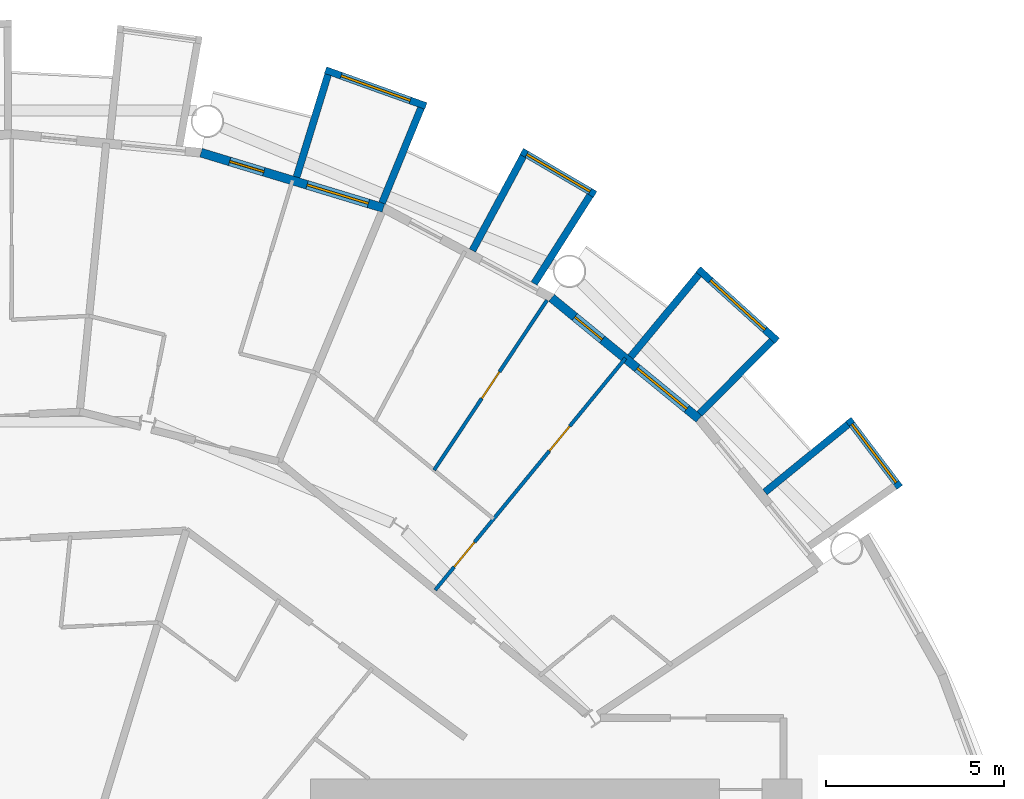
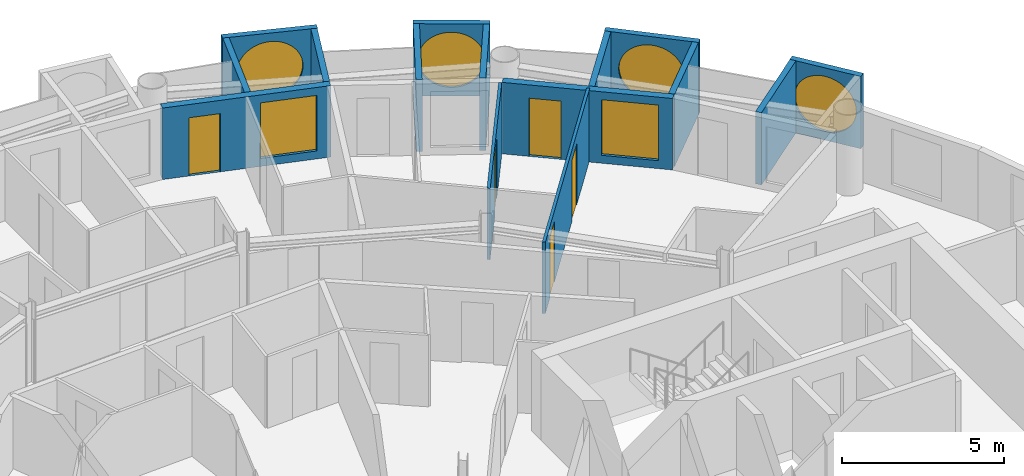
# One storey, part 23 of 27: 15 walls, 6 windows, 5 doors, 11 openings.
"""IFC4 building model written with IfcOpenShell, lengths in metres."""

import ifcopenshell
import ifcopenshell.guid

model = None  # the IFC model being written
_history = None  # IfcOwnerHistory: only IFC2X3 demands one
_inside = {}  # id of a spatial element -> (the spatial element, [elements in it])
_under = {}  # id of a project, library or spatial element -> (it, [spatial elements below it])
_declared = {}  # id of a project -> (the project, [libraries it declares])
_typed = {}  # id of a type object -> (the type object, [elements of that type])
_made_of = {}  # id of a material, layer set ... -> (it, [elements and type objects made of it])


def new_model(schema):
    """Start an empty IFC model of exactly this schema.

    Asked for "IFC4X3", IfcOpenShell would pick the latest addendum, in which some entities
    have other attributes; the version numbers below select the first issue.
    IFC2X3 requires an IfcOwnerHistory on every rooted entity: one is made here for all.
    """
    global model, _history
    if schema == "IFC4X3":
        model = ifcopenshell.file(schema_version=(4, 3, 0, 0))
    else:
        model = ifcopenshell.file(schema=schema)
    _inside.clear()
    _under.clear()
    _declared.clear()
    _typed.clear()
    _made_of.clear()
    _history = None
    if model.schema == "IFC2X3":
        org = make("IfcOrganization", Name="unknown")
        user = make(
            "IfcPersonAndOrganization",
            ThePerson=make("IfcPerson", FamilyName="unknown"),
            TheOrganization=org,
        )
        app = make(
            "IfcApplication",
            ApplicationDeveloper=org,
            Version="unknown",
            ApplicationFullName="unknown",
            ApplicationIdentifier="unknown",
        )
        _history = make(
            "IfcOwnerHistory",
            OwningUser=user,
            OwningApplication=app,
            ChangeAction="ADDED",
            CreationDate=0,
        )
    return model


def make(cls, **values):
    """One entity of the class cls with the attributes given. An attribute that is None is left unset."""
    return model.create_entity(
        cls, **{name: value for name, value in values.items() if value is not None}
    )


def rooted(cls, **values):
    """An entity with a GlobalId (a new one), such as an element, a storey or a relation."""
    return make(cls, GlobalId=ifcopenshell.guid.new(), OwnerHistory=_history, **values)


def si_unit(unit_type, name, prefix=None):
    """IfcSIUnit, for example si_unit("LENGTHUNIT", "METRE", prefix="MILLI")."""
    return make("IfcSIUnit", UnitType=unit_type, Prefix=prefix, Name=name)


def assignment(units):
    """IfcUnitAssignment: the units of a project."""
    return None if units is None else make("IfcUnitAssignment", Units=units)


def point(xyz):
    """IfcCartesianPoint."""
    return None if xyz is None else make("IfcCartesianPoint", Coordinates=xyz)


def direction(xyz):
    """IfcDirection."""
    return None if xyz is None else make("IfcDirection", DirectionRatios=xyz)


def frame(location, z_axis=None, x_axis=None):
    """IfcAxis2Placement3D, a coordinate frame: its origin and axes. An axis left out is left unset."""
    return make(
        "IfcAxis2Placement3D",
        Location=point(location),
        Axis=direction(z_axis),
        RefDirection=direction(x_axis),
    )


def frame_2d(location, x_axis=None):
    """IfcAxis2Placement2D, a coordinate frame in the plane: its origin and x axis."""
    return make(
        "IfcAxis2Placement2D", Location=point(location), RefDirection=direction(x_axis)
    )


def origin():
    """The frame at (0, 0, 0) with its axes left unset."""
    return frame((0.0, 0.0, 0.0))


def place(relative_to, where):
    """IfcLocalPlacement: puts the frame where relative to a parent placement (None: the world)."""
    return make(
        "IfcLocalPlacement", PlacementRelTo=relative_to, RelativePlacement=where
    )


def context(
    kind, dimensions, precision=None, world=None, true_north=None, identifier=None
):
    """IfcGeometricRepresentationContext, for example the 3D "Model" context."""
    return make(
        "IfcGeometricRepresentationContext",
        ContextIdentifier=identifier,
        ContextType=kind,
        CoordinateSpaceDimension=dimensions,
        Precision=precision,
        WorldCoordinateSystem=world,
        TrueNorth=true_north,
    )


def subcontext(parent, identifier, kind, view, scale=None):
    """IfcGeometricRepresentationSubContext, for example "Body" below "Model"."""
    return make(
        "IfcGeometricRepresentationSubContext",
        ContextIdentifier=identifier,
        ContextType=kind,
        ParentContext=parent,
        TargetScale=scale,
        TargetView=view,
    )


def project(units=None, contexts=None):
    """IfcProject with its units and contexts."""
    return rooted(
        "IfcProject",
        Name="project",
        RepresentationContexts=contexts,
        UnitsInContext=assignment(units),
    )


def spatial(cls, under=None, at=None, **own):
    """A site, building, storey or space (cls), placed at a placement, below another one or the project."""
    s = rooted(cls, ObjectPlacement=at, **own)
    if under is not None:
        _under.setdefault(under.id(), (under, []))[1].append(s)
    return s


def profile(cls, at=None, kind="AREA", **sizes):
    """A parametric profile (cls). Its sizes go by their IFC names, for example OverallWidth=200.0."""
    return make(cls, ProfileType=kind, Position=at, **sizes)


def rectangle(**sizes):
    """IfcRectangleProfileDef."""
    return profile("IfcRectangleProfileDef", **sizes)


def circle(**sizes):
    """IfcCircleProfileDef."""
    return profile("IfcCircleProfileDef", **sizes)


def extrude(swept, where, along, depth):
    """IfcExtrudedAreaSolid: the profile swept, set in the frame where, extruded along a direction by depth."""
    return make(
        "IfcExtrudedAreaSolid",
        SweptArea=swept,
        Position=where,
        ExtrudedDirection=direction(along),
        Depth=depth,
    )


def shape(context_of_items, identifier, shape_type, items):
    """IfcShapeRepresentation: the items that make up one representation, for example the "Body"."""
    return make(
        "IfcShapeRepresentation",
        ContextOfItems=context_of_items,
        RepresentationIdentifier=identifier,
        RepresentationType=shape_type,
        Items=items,
    )


def material(Name=None, Category=None):
    """IfcMaterial."""
    return make("IfcMaterial", Name=Name, Category=Category)


def layer(
    of_material, thickness, ventilated=None, Name=None, Category=None, Priority=None
):
    """IfcMaterialLayer: one layer of a wall or slab, of a material (None: an air gap)."""
    return make(
        "IfcMaterialLayer",
        Material=of_material,
        LayerThickness=thickness,
        IsVentilated=ventilated,
        Name=Name,
        Category=Category,
        Priority=Priority,
    )


def layer_set(layers, Name=None):
    """IfcMaterialLayerSet."""
    return make("IfcMaterialLayerSet", MaterialLayers=layers, LayerSetName=Name)


def made_of(thing, what):
    """Note that an element or type object is made of a material, layer set ...; save() writes the relation."""
    if what is not None:
        _made_of.setdefault(what.id(), (what, []))[1].append(thing)
    return thing


def type_object(cls, material=None, **own):
    """A type object (cls), such as IfcWallType, which elements share."""
    return made_of(rooted(cls, **own), material)


def element(
    cls,
    number,
    at=None,
    inside=None,
    cuts=None,
    type_object=None,
    material=None,
    context=None,
    identifier="Body",
    shape_type=None,
    held_by="IfcProductDefinitionShape",
    body=None,
    shapes=None,
    **own,
):
    """One element of the class cls, such as IfcWall. Its Tag is "e" and its number.

    at: its placement. inside: the storey or other place that contains it. cuts: it is an
    opening in that element (IfcRelVoidsElement). A single representation is given by context,
    identifier, shape_type and body (its items); several are given by shapes. held_by: the class
    of the entity that holds the representations. save() writes the other relations.
    """
    e = rooted(cls, Tag="e%d" % number, ObjectPlacement=at, **own)
    if body is not None:
        shapes = [shape(context, identifier, shape_type, body)]
    if shapes is not None:
        e.Representation = make(held_by, Representations=shapes)
    if inside is not None:
        _inside.setdefault(inside.id(), (inside, []))[1].append(e)
    if cuts is not None:
        rooted(
            "IfcRelVoidsElement", RelatingBuildingElement=cuts, RelatedOpeningElement=e
        )
    if type_object is not None:
        _typed.setdefault(type_object.id(), (type_object, []))[1].append(e)
    return made_of(e, material)


def fill(opening, filler):
    """IfcRelFillsElement: the door or window that sits in an opening."""
    return rooted(
        "IfcRelFillsElement",
        RelatingOpeningElement=opening,
        RelatedBuildingElement=filler,
    )


def aggregate(whole, parts):
    """IfcRelAggregates: a whole, such as a stair, and the parts it consists of."""
    return rooted("IfcRelAggregates", RelatingObject=whole, RelatedObjects=parts)


def save(model, path):
    """Write the relations noted so far, then the file.

    IfcRelAggregates (storeys below a building ...), IfcRelContainedInSpatialStructure (elements
    in a storey), IfcRelDefinesByType, IfcRelAssociatesMaterial and IfcRelDeclares: one each for
    every whole, place, type object, material and project.
    """
    for whole, parts in _under.values():
        aggregate(whole, parts)
    for where, things in _inside.values():
        rooted(
            "IfcRelContainedInSpatialStructure",
            RelatedElements=things,
            RelatingStructure=where,
        )
    for kind, things in _typed.values():
        rooted("IfcRelDefinesByType", RelatedObjects=things, RelatingType=kind)
    for what, things in _made_of.values():
        rooted("IfcRelAssociatesMaterial", RelatedObjects=things, RelatingMaterial=what)
    for by, libraries in _declared.values():
        rooted("IfcRelDeclares", RelatingContext=by, RelatedDefinitions=libraries)
    model.write(path)


model = new_model("IFC4")

# Units and contexts
model_context = context("Model", 3, precision=1e-05, world=origin(), true_north=direction((0.0, 1.0)))
body_context = subcontext(model_context, "Body", "Model", "MODEL_VIEW")
ifc_project = project(units=[si_unit("LENGTHUNIT", "METRE"), si_unit("AREAUNIT", "SQUARE_METRE"), si_unit("VOLUMEUNIT", "CUBIC_METRE"), si_unit("PLANEANGLEUNIT", "RADIAN"), si_unit("MASSUNIT", "GRAM", prefix="KILO")], contexts=[model_context])

# Site, building, storey
site_placement = place(None, origin())
site = spatial("IfcSite", under=ifc_project, at=site_placement, CompositionType="ELEMENT")
building_placement = place(site_placement, origin())
building = spatial("IfcBuilding", under=site, at=building_placement, Name="Maasbend Ring Residences", CompositionType="ELEMENT")
storey_placement = place(building_placement, frame((0.0, 0.0, 111.64990234375)))
storey = spatial("IfcBuildingStorey", under=building, at=storey_placement, Name="L31", CompositionType="ELEMENT", Elevation=111.64990234375)

# Wall, opening, window
ifc_material_1 = material(Name="Pale anodised aluminium panel", Category="aluminium")
ifc_layer_1 = layer(ifc_material_1, 0.199951171875)
ifc_layer_set_1 = layer_set([ifc_layer_1], Name="EW-BOX")
wall_type_1 = type_object("IfcWallType", Name="EW-BOX", PredefinedType="SOLIDWALL", material=ifc_layer_set_1)
wall_1_placement = place(storey_placement, frame((24.93994140625, 17.382080078125, -0.02978515625), z_axis=(0.0, 0.0, 1.0), x_axis=(-0.603375996329, 0.797456837111, 0.0)))
wall_1 = element("IfcWall", 1, at=wall_1_placement, inside=storey, type_object=wall_type_1, Name="Box front N01", PredefinedType="SOLIDWALL", context=body_context, shape_type="SweptSolid", body=[
    extrude(rectangle(XDim=2.391357421875, YDim=0.199951171875, at=frame_2d((1.19580078125, 0.0))), origin(), (0.0, 0.0, 1.0), 2.72998046875),
])
opening_1_placement = place(wall_1_placement, frame((0.15576171875, 0.0, 0.330078125)))
opening_1 = element("IfcOpeningElement", 2, at=opening_1_placement, cuts=wall_1, Name="Opening W-RD", PredefinedType="OPENING", context=body_context, shape_type="SweptSolid", body=[
    extrude(circle(Radius=1.0400390625, at=frame_2d((1.0400390625, 1.0400390625))), frame((0.0, 0.10986328125, 0.0), z_axis=(0.0, -1.0, 0.0), x_axis=(1.0, 0.0, 0.0)), (0.0, 0.0, 1.0), 0.219970703125),
])
ifc_material_2 = material(Name="Aluminium and clear glass", Category="aluminium")
window_type_1 = type_object("IfcWindowType", Name="W-RD", PartitioningType="SINGLE_PANEL", PredefinedType="WINDOW", material=ifc_material_2)
window_1_placement = place(opening_1_placement, origin())
window_1 = element("IfcWindow", 3, at=window_1_placement, inside=storey, type_object=window_type_1, Name="Round window N01", OverallHeight=2.080078125, OverallWidth=2.080078125, PartitioningType="SINGLE_PANEL", PredefinedType="WINDOW", context=body_context, shape_type="SweptSolid", body=[
    extrude(circle(Radius=1.0400390625, at=frame_2d((1.0400390625, 1.0400390625))), frame((0.0, 0.030029296875, 0.0), z_axis=(0.0, -1.0, 0.0), x_axis=(1.0, 0.0, 0.0)), (0.0, 0.0, 1.0), 0.06005859375),
])
fill(opening_1, window_1)

# Wall
wall_2_placement = place(storey_placement, frame((21.155029296875, 17.24609375, -0.02978515625), z_axis=(0.0, 0.0, 1.0), x_axis=(0.775179004516, 0.631741648902, 0.0)))
element("IfcWall", 4, at=wall_2_placement, inside=storey, type_object=wall_type_1, Name="Box side wall N01 right", PredefinedType="SOLIDWALL", context=body_context, shape_type="SweptSolid", body=[
    extrude(rectangle(XDim=3.005859375, YDim=0.199951171875, at=frame_2d((1.5029296875, 0.0))), origin(), (0.0, 0.0, 1.0), 2.72998046875),
])

# Wall, opening, window
wall_3_placement = place(storey_placement, frame((21.5, 21.492919921875, -0.02978515625), z_axis=(0.0, 0.0, 1.0), x_axis=(-0.740998365753, 0.671506829416, 0.0)))
wall_3 = element("IfcWall", 5, at=wall_3_placement, inside=storey, type_object=wall_type_1, Name="Box front N03", PredefinedType="SOLIDWALL", context=body_context, shape_type="SweptSolid", body=[
    extrude(rectangle(XDim=2.9931640625, YDim=0.199951171875, at=frame_2d((1.49658203125, 0.0))), origin(), (0.0, 0.0, 1.0), 2.72998046875),
])
opening_2_placement = place(wall_3_placement, frame((0.45654296875, 0.0, 0.330078125)))
opening_2 = element("IfcOpeningElement", 6, at=opening_2_placement, cuts=wall_3, Name="Opening W-RD", PredefinedType="OPENING", context=body_context, shape_type="SweptSolid", body=[
    extrude(circle(Radius=1.0400390625, at=frame_2d((1.0400390625, 1.0400390625))), frame((0.0, 0.10986328125, 0.0), z_axis=(0.0, -1.0, 0.0), x_axis=(1.0, 0.0, 0.0)), (0.0, 0.0, 1.0), 0.219970703125),
])
window_2_placement = place(opening_2_placement, origin())
window_2 = element("IfcWindow", 7, at=window_2_placement, inside=storey, type_object=window_type_1, Name="Round window N03", OverallHeight=2.080078125, OverallWidth=2.080078125, PartitioningType="SINGLE_PANEL", PredefinedType="WINDOW", context=body_context, shape_type="SweptSolid", body=[
    extrude(circle(Radius=1.0400390625, at=frame_2d((1.0400390625, 1.0400390625))), frame((0.0, 0.030029296875, 0.0), z_axis=(0.0, -1.0, 0.0), x_axis=(1.0, 0.0, 0.0)), (0.0, 0.0, 1.0), 0.06005859375),
])
fill(opening_2, window_2)

# Walls
wall_4_placement = place(storey_placement, frame((19.322998046875, 19.449951171875, -0.02978515625), z_axis=(0.0, 0.0, 1.0), x_axis=(0.704476739375, 0.709727076896, 0.0)))
element("IfcWall", 8, at=wall_4_placement, inside=storey, type_object=wall_type_1, Name="Box side wall N03 left", PredefinedType="SOLIDWALL", context=body_context, shape_type="SweptSolid", body=[
    extrude(rectangle(XDim=2.883056640625, YDim=0.199951171875, at=frame_2d((1.44140625, 0.0))), origin(), (0.0, 0.0, 1.0), 2.72998046875),
])
wall_5_placement = place(storey_placement, frame((17.384033203125, 21.041015625, -0.02978515625), z_axis=(0.0, 0.0, 1.0), x_axis=(0.63709551667, 0.770784861449, 0.0)))
element("IfcWall", 9, at=wall_5_placement, inside=storey, type_object=wall_type_1, Name="Box side wall N03 right", PredefinedType="SOLIDWALL", context=body_context, shape_type="SweptSolid", body=[
    extrude(rectangle(XDim=3.005859375, YDim=0.199951171875, at=frame_2d((1.5029296875, 0.0))), origin(), (0.0, 0.0, 1.0), 2.72998046875),
])

# Wall, opening, window
wall_6_placement = place(storey_placement, frame((16.389892578125, 25.60302734375, -0.02978515625), z_axis=(0.0, 0.0, 1.0), x_axis=(-0.862762477128, 0.505609442218, 0.0)))
wall_6 = element("IfcWall", 10, at=wall_6_placement, inside=storey, type_object=wall_type_1, Name="Box front N05", PredefinedType="SOLIDWALL", context=body_context, shape_type="SweptSolid", body=[
    extrude(rectangle(XDim=2.39111328125, YDim=0.199951171875, at=frame_2d((1.195556640625, 0.0))), origin(), (0.0, 0.0, 1.0), 2.72998046875),
])
opening_3_placement = place(wall_6_placement, frame((0.15576171875, 0.0, 0.330078125)))
opening_3 = element("IfcOpeningElement", 11, at=opening_3_placement, cuts=wall_6, Name="Opening W-RD", PredefinedType="OPENING", context=body_context, shape_type="SweptSolid", body=[
    extrude(circle(Radius=1.0400390625, at=frame_2d((1.0400390625, 1.0400390625))), frame((0.0, 0.10986328125, 0.0), z_axis=(0.0, -1.0, 0.0), x_axis=(1.0, 0.0, 0.0)), (0.0, 0.0, 1.0), 0.219970703125),
])
window_3_placement = place(opening_3_placement, origin())
window_3 = element("IfcWindow", 12, at=window_3_placement, inside=storey, type_object=window_type_1, Name="Round window N05", OverallHeight=2.080078125, OverallWidth=2.080078125, PartitioningType="SINGLE_PANEL", PredefinedType="WINDOW", context=body_context, shape_type="SweptSolid", body=[
    extrude(circle(Radius=1.0400390625, at=frame_2d((1.0400390625, 1.0400390625))), frame((0.0, 0.030029296875, 0.0), z_axis=(0.0, -1.0, 0.0), x_axis=(1.0, 0.0, 0.0)), (0.0, 0.0, 1.0), 0.06005859375),
])
fill(opening_3, window_3)

# Walls
wall_7_placement = place(storey_placement, frame((14.677978515625, 23.10205078125, -0.02978515625), z_axis=(0.0, 0.0, 1.0), x_axis=(0.536001536573, 0.844217005746, 0.0)))
element("IfcWall", 13, at=wall_7_placement, inside=storey, type_object=wall_type_1, Name="Box side wall N05 left", PredefinedType="SOLIDWALL", context=body_context, shape_type="SweptSolid", body=[
    extrude(rectangle(XDim=2.92919921875, YDim=0.199951171875, at=frame_2d((1.464599609375, 0.0))), origin(), (0.0, 0.0, 1.0), 2.72998046875),
])
wall_8_placement = place(storey_placement, frame((12.945068359375, 24.029052734375, -0.02978515625), z_axis=(0.0, 0.0, 1.0), x_axis=(0.474424310775, 0.88029629861, 0.0)))
element("IfcWall", 14, at=wall_8_placement, inside=storey, type_object=wall_type_1, Name="Box side wall N05 right", PredefinedType="SOLIDWALL", context=body_context, shape_type="SweptSolid", body=[
    extrude(rectangle(XDim=3.005859375, YDim=0.199951171875, at=frame_2d((1.5029296875, 0.0))), origin(), (0.0, 0.0, 1.0), 2.72998046875),
])

# Wall, opening, window
wall_9_placement = place(storey_placement, frame((11.637939453125, 28.083984375, -0.02978515625), z_axis=(0.0, 0.0, 1.0), x_axis=(-0.941461077774, 0.337121697664, 0.0)))
wall_9 = element("IfcWall", 15, at=wall_9_placement, inside=storey, type_object=wall_type_1, Name="Box front N07", PredefinedType="SOLIDWALL", context=body_context, shape_type="SweptSolid", body=[
    extrude(rectangle(XDim=2.9931640625, YDim=0.199951171875, at=frame_2d((1.49658203125, 0.0))), origin(), (0.0, 0.0, 1.0), 2.72998046875),
])
opening_4_placement = place(wall_9_placement, frame((0.45654296875, 0.0, 0.330078125)))
opening_4 = element("IfcOpeningElement", 16, at=opening_4_placement, cuts=wall_9, Name="Opening W-RD", PredefinedType="OPENING", context=body_context, shape_type="SweptSolid", body=[
    extrude(circle(Radius=1.0400390625, at=frame_2d((1.0400390625, 1.0400390625))), frame((0.0, 0.10986328125, 0.0), z_axis=(0.0, -1.0, 0.0), x_axis=(1.0, 0.0, 0.0)), (0.0, 0.0, 1.0), 0.219970703125),
])
window_4_placement = place(opening_4_placement, origin())
window_4 = element("IfcWindow", 17, at=window_4_placement, inside=storey, type_object=window_type_1, Name="Round window N07", OverallHeight=2.080078125, OverallWidth=2.080078125, PartitioningType="SINGLE_PANEL", PredefinedType="WINDOW", context=body_context, shape_type="SweptSolid", body=[
    extrude(circle(Radius=1.0400390625, at=frame_2d((1.0400390625, 1.0400390625))), frame((0.0, 0.030029296875, 0.0), z_axis=(0.0, -1.0, 0.0), x_axis=(1.0, 0.0, 0.0)), (0.0, 0.0, 1.0), 0.06005859375),
])
fill(opening_4, window_4)

# Walls
wall_10_placement = place(storey_placement, frame((10.408935546875, 25.364013671875, -0.02978515625), z_axis=(0.0, 0.0, 1.0), x_axis=(0.379509886562, 0.925187681501, 0.0)))
element("IfcWall", 18, at=wall_10_placement, inside=storey, type_object=wall_type_1, Name="Box side wall N07 left", PredefinedType="SOLIDWALL", context=body_context, shape_type="SweptSolid", body=[
    extrude(rectangle(XDim=2.882568359375, YDim=0.199951171875, at=frame_2d((1.44140625, 0.0))), origin(), (0.0, 0.0, 1.0), 2.72998046875),
])
wall_11_placement = place(storey_placement, frame((8.009033203125, 26.092041015625, -0.02978515625), z_axis=(0.0, 0.0, 1.0), x_axis=(0.293406695073, 0.955987715029, 0.0)))
element("IfcWall", 19, at=wall_11_placement, inside=storey, type_object=wall_type_1, Name="Box side wall N07 right", PredefinedType="SOLIDWALL", context=body_context, shape_type="SweptSolid", body=[
    extrude(rectangle(XDim=3.00634765625, YDim=0.199951171875, at=frame_2d((1.503173828125, 0.0))), origin(), (0.0, 0.0, 1.0), 2.72998046875),
])

# Wall, openings, door, window
ifc_material_3 = material(Name="Aluminium clad insulated panel", Category="aluminium")
ifc_layer_2 = layer(ifc_material_3, 0.25)
ifc_layer_set_2 = layer_set([ifc_layer_2], Name="EW-GL")
wall_type_2 = type_object("IfcWallType", Name="EW-GL", PredefinedType="SOLIDWALL", material=ifc_layer_set_2)
wall_12_placement = place(storey_placement, frame((19.303955078125, 19.303955078125, 0.0), z_axis=(0.0, 0.0, 1.0), x_axis=(-0.773019449054, 0.634382322723, 0.0)))
wall_12 = element("IfcWall", 20, at=wall_12_placement, inside=storey, type_object=wall_type_2, Name="External wall N02", PredefinedType="SOLIDWALL", context=body_context, shape_type="SweptSolid", body=[
    extrude(rectangle(XDim=5.351806640625, YDim=0.25, at=frame_2d((2.67578125, 0.0))), origin(), (0.0, 0.0, 1.0), 2.7001953125),
])
opening_5_placement = place(wall_12_placement, frame((0.441162109375, 0.0, 0.300048828125)))
opening_5 = element("IfcOpeningElement", 21, at=opening_5_placement, cuts=wall_12, Name="Opening W-BX", PredefinedType="OPENING", context=body_context, shape_type="SweptSolid", body=[
    extrude(rectangle(XDim=1.800048828125, YDim=2.10009765625, at=frame_2d((0.89990234375, 1.050048828125))), frame((0.0, 0.135009765625, 0.0), z_axis=(0.0, -1.0, 0.0), x_axis=(1.0, 0.0, 0.0)), (0.0, 0.0, 1.0), 0.27001953125),
])
opening_6_placement = place(wall_12_placement, frame((3.510498046875, 0.0, 0.0)))
opening_6 = element("IfcOpeningElement", 22, at=opening_6_placement, cuts=wall_12, Name="Opening D-LG", PredefinedType="OPENING", context=body_context, shape_type="SweptSolid", body=[
    extrude(rectangle(XDim=1.0, YDim=2.199951171875, at=frame_2d((0.5, 1.10009765625))), frame((0.0, 0.135009765625, 0.0), z_axis=(0.0, -1.0, 0.0), x_axis=(1.0, 0.0, 0.0)), (0.0, 0.0, 1.0), 0.27001953125),
])
ifc_material_4 = material(Name="Aluminium and clear glass", Category="aluminium")
door_type_1 = type_object("IfcDoorType", Name="D-LG", OperationType="SINGLE_SWING_LEFT", PredefinedType="DOOR", material=ifc_material_4)
door_1_placement = place(opening_6_placement, origin())
door_1 = element("IfcDoor", 23, at=door_1_placement, inside=storey, type_object=door_type_1, Name="Loggia door N04", OperationType="SINGLE_SWING_LEFT", OverallHeight=2.199951171875, OverallWidth=1.0, PredefinedType="DOOR", context=body_context, shape_type="SweptSolid", body=[
    extrude(rectangle(XDim=1.0, YDim=2.199951171875, at=frame_2d((0.5, 1.10009765625))), frame((0.0, 0.02490234375, 0.0), z_axis=(0.0, -1.0, 0.0), x_axis=(1.0, 0.0, 0.0)), (0.0, 0.0, 1.0), 0.050048828125),
])
fill(opening_6, door_1)
ifc_material_5 = material(Name="Aluminium and clear glass", Category="aluminium")
window_type_2 = type_object("IfcWindowType", Name="W-BX", PartitioningType="DOUBLE_PANEL_VERTICAL", PredefinedType="WINDOW", material=ifc_material_5)
window_5_placement = place(opening_5_placement, origin())
window_5 = element("IfcWindow", 24, at=window_5_placement, inside=storey, type_object=window_type_2, Name="Window N03 room to box", OverallHeight=2.10009765625, OverallWidth=1.800048828125, PartitioningType="SINGLE_PANEL", PredefinedType="WINDOW", context=body_context, shape_type="SweptSolid", body=[
    extrude(rectangle(XDim=1.800048828125, YDim=2.10009765625, at=frame_2d((0.89990234375, 1.050048828125))), frame((0.0, 0.030029296875, 0.0), z_axis=(0.0, -1.0, 0.0), x_axis=(1.0, 0.0, 0.0)), (0.0, 0.0, 1.0), 0.06005859375),
])
fill(opening_5, window_5)

wall_13_placement = place(storey_placement, frame((10.447021484375, 25.221923828125, 0.0), z_axis=(0.0, 0.0, 1.0), x_axis=(-0.956965678721, 0.290201119486, 0.0)))
wall_13 = element("IfcWall", 25, at=wall_13_placement, inside=storey, type_object=wall_type_2, Name="External wall N04", PredefinedType="SOLIDWALL", context=body_context, shape_type="SweptSolid", body=[
    extrude(rectangle(XDim=5.351318359375, YDim=0.25, at=frame_2d((2.67578125, 0.0))), origin(), (0.0, 0.0, 1.0), 2.7001953125),
])
opening_7_placement = place(wall_13_placement, frame((0.441162109375, 0.0, 0.300048828125)))
opening_7 = element("IfcOpeningElement", 26, at=opening_7_placement, cuts=wall_13, Name="Opening W-BX", PredefinedType="OPENING", context=body_context, shape_type="SweptSolid", body=[
    extrude(rectangle(XDim=1.800048828125, YDim=2.10009765625, at=frame_2d((0.89990234375, 1.050048828125))), frame((0.0, 0.135009765625, 0.0), z_axis=(0.0, -1.0, 0.0), x_axis=(1.0, 0.0, 0.0)), (0.0, 0.0, 1.0), 0.27001953125),
])
opening_8_placement = place(wall_13_placement, frame((3.510498046875, 0.0, 0.0)))
opening_8 = element("IfcOpeningElement", 27, at=opening_8_placement, cuts=wall_13, Name="Opening D-LG", PredefinedType="OPENING", context=body_context, shape_type="SweptSolid", body=[
    extrude(rectangle(XDim=1.0, YDim=2.199951171875, at=frame_2d((0.5, 1.10009765625))), frame((0.0, 0.135009765625, 0.0), z_axis=(0.0, -1.0, 0.0), x_axis=(1.0, 0.0, 0.0)), (0.0, 0.0, 1.0), 0.27001953125),
])
door_2_placement = place(opening_8_placement, origin())
door_2 = element("IfcDoor", 28, at=door_2_placement, inside=storey, type_object=door_type_1, Name="Loggia door N08", OperationType="SINGLE_SWING_LEFT", OverallHeight=2.199951171875, OverallWidth=1.0, PredefinedType="DOOR", context=body_context, shape_type="SweptSolid", body=[
    extrude(rectangle(XDim=1.0, YDim=2.199951171875, at=frame_2d((0.5, 1.10009765625))), frame((0.0, 0.02490234375, 0.0), z_axis=(0.0, -1.0, 0.0), x_axis=(1.0, 0.0, 0.0)), (0.0, 0.0, 1.0), 0.050048828125),
])
fill(opening_8, door_2)
window_6_placement = place(opening_7_placement, origin())
window_6 = element("IfcWindow", 29, at=window_6_placement, inside=storey, type_object=window_type_2, Name="Window N07 room to box", OverallHeight=2.10009765625, OverallWidth=1.800048828125, PartitioningType="SINGLE_PANEL", PredefinedType="WINDOW", context=body_context, shape_type="SweptSolid", body=[
    extrude(rectangle(XDim=1.800048828125, YDim=2.10009765625, at=frame_2d((0.89990234375, 1.050048828125))), frame((0.0, 0.030029296875, 0.0), z_axis=(0.0, -1.0, 0.0), x_axis=(1.0, 0.0, 0.0)), (0.0, 0.0, 1.0), 0.06005859375),
])
fill(opening_7, window_6)

# Wall, opening, door
ifc_material_6 = material(Name="Gypsum board on steel studs", Category="steel")
ifc_layer_3 = layer(ifc_material_6, 0.10009765625)
ifc_layer_set_3 = layer_set([ifc_layer_3], Name="PARTITION 100 GYPSUM")
wall_type_3 = type_object("IfcWallType", Name="PARTITION 100 GYPSUM", PredefinedType="PARTITIONING", material=ifc_layer_set_3)
wall_14_placement = place(storey_placement, frame((11.8701171875, 17.864990234375, 0.0), z_axis=(0.0, 0.0, 1.0), x_axis=(0.553440102418, 0.832888980018, 0.0)))
wall_14 = element("IfcWall", 30, at=wall_14_placement, inside=storey, type_object=wall_type_3, Name="U-L31-w078", PredefinedType="PARTITIONING", context=body_context, shape_type="SweptSolid", body=[
    extrude(rectangle(XDim=5.725830078125, YDim=0.10009765625, at=frame_2d((2.86279296875, 0.0))), origin(), (0.0, 0.0, 1.0), 2.7001953125),
])
opening_9_placement = place(wall_14_placement, frame((2.4130859375, 0.0, 0.0)))
opening_9 = element("IfcOpeningElement", 31, at=opening_9_placement, cuts=wall_14, Name="Opening D-3105", PredefinedType="OPENING", context=body_context, shape_type="SweptSolid", body=[
    extrude(rectangle(XDim=0.89990234375, YDim=2.300048828125, at=frame_2d((0.449951171875, 1.14990234375))), frame((0.0, 0.06005859375, 0.0), z_axis=(0.0, -1.0, 0.0), x_axis=(1.0, 0.0, 0.0)), (0.0, 0.0, 1.0), 0.1201171875),
])
ifc_material_7 = material(Name="Timber, painted", Category="wood")
door_type_2 = type_object("IfcDoorType", Name="INTERNAL DOOR 900 X 2300", OperationType="NOTDEFINED", PredefinedType="DOOR", material=ifc_material_7)
door_3_placement = place(opening_9_placement, origin())
door_3 = element("IfcDoor", 32, at=door_3_placement, inside=storey, type_object=door_type_2, Name="D-3105", OperationType="SINGLE_SWING_LEFT", OverallHeight=2.300048828125, OverallWidth=0.89990234375, PredefinedType="DOOR", context=body_context, shape_type="SweptSolid", body=[
    extrude(rectangle(XDim=0.89990234375, YDim=2.300048828125, at=frame_2d((0.449951171875, 1.14990234375))), frame((0.0, 0.02490234375, 0.0), z_axis=(0.0, -1.0, 0.0), x_axis=(1.0, 0.0, 0.0)), (0.0, 0.0, 1.0), 0.050048828125),
])
fill(opening_9, door_3)

# Wall, openings, doors
wall_15_placement = place(storey_placement, frame((11.89990234375, 14.498046875, 0.0), z_axis=(0.0, 0.0, 1.0), x_axis=(0.634465454582, 0.772951218993, 0.0)))
wall_15 = element("IfcWall", 33, at=wall_15_placement, inside=storey, type_object=wall_type_3, Name="U-L31-w079", PredefinedType="PARTITIONING", context=body_context, shape_type="SweptSolid", body=[
    extrude(rectangle(XDim=8.419677734375, YDim=0.10009765625, at=frame_2d((4.2099609375, 0.0))), origin(), (0.0, 0.0, 1.0), 2.7001953125),
])
opening_10_placement = place(wall_15_placement, frame((0.840087890625, 0.0, 0.0)))
opening_10 = element("IfcOpeningElement", 34, at=opening_10_placement, cuts=wall_15, Name="Opening D-3103", PredefinedType="OPENING", context=body_context, shape_type="SweptSolid", body=[
    extrude(rectangle(XDim=0.89990234375, YDim=2.300048828125, at=frame_2d((0.449951171875, 1.14990234375))), frame((0.0, 0.06005859375, 0.0), z_axis=(0.0, -1.0, 0.0), x_axis=(1.0, 0.0, 0.0)), (0.0, 0.0, 1.0), 0.1201171875),
])
opening_11_placement = place(wall_15_placement, frame((5.051025390625, 0.0, 0.0)))
opening_11 = element("IfcOpeningElement", 35, at=opening_11_placement, cuts=wall_15, Name="Opening D-3104", PredefinedType="OPENING", context=body_context, shape_type="SweptSolid", body=[
    extrude(rectangle(XDim=0.89990234375, YDim=2.300048828125, at=frame_2d((0.449951171875, 1.14990234375))), frame((0.0, 0.06005859375, 0.0), z_axis=(0.0, -1.0, 0.0), x_axis=(1.0, 0.0, 0.0)), (0.0, 0.0, 1.0), 0.1201171875),
])
door_4_placement = place(opening_10_placement, origin())
door_4 = element("IfcDoor", 36, at=door_4_placement, inside=storey, type_object=door_type_2, Name="D-3103", OperationType="SINGLE_SWING_LEFT", OverallHeight=2.300048828125, OverallWidth=0.89990234375, PredefinedType="DOOR", context=body_context, shape_type="SweptSolid", body=[
    extrude(rectangle(XDim=0.89990234375, YDim=2.300048828125, at=frame_2d((0.449951171875, 1.14990234375))), frame((0.0, 0.02490234375, 0.0), z_axis=(0.0, -1.0, 0.0), x_axis=(1.0, 0.0, 0.0)), (0.0, 0.0, 1.0), 0.050048828125),
])
fill(opening_10, door_4)
door_5_placement = place(opening_11_placement, origin())
door_5 = element("IfcDoor", 37, at=door_5_placement, inside=storey, type_object=door_type_2, Name="D-3104", OperationType="SINGLE_SWING_RIGHT", OverallHeight=2.300048828125, OverallWidth=0.89990234375, PredefinedType="DOOR", context=body_context, shape_type="SweptSolid", body=[
    extrude(rectangle(XDim=0.89990234375, YDim=2.300048828125, at=frame_2d((0.449951171875, 1.14990234375))), frame((0.0, 0.02490234375, 0.0), z_axis=(0.0, -1.0, 0.0), x_axis=(1.0, 0.0, 0.0)), (0.0, 0.0, 1.0), 0.050048828125),
])
fill(opening_11, door_5)

save(model, "model.ifc")
